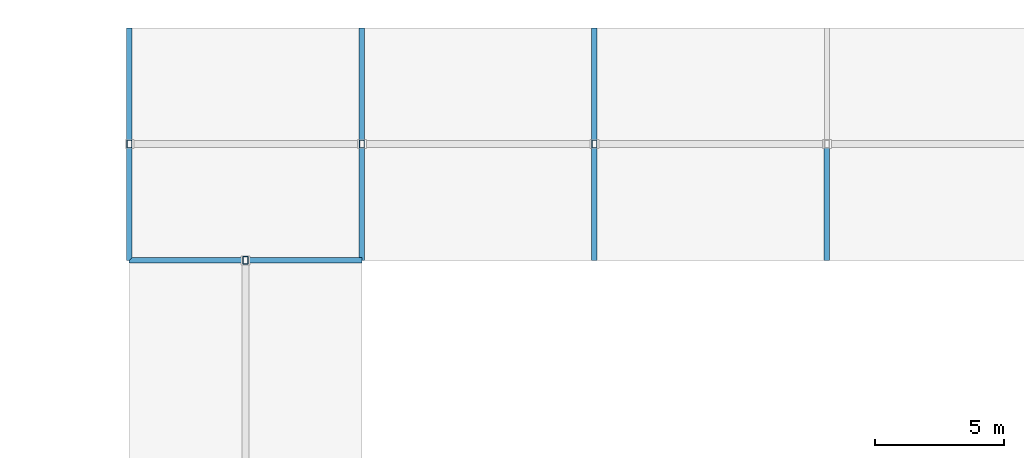
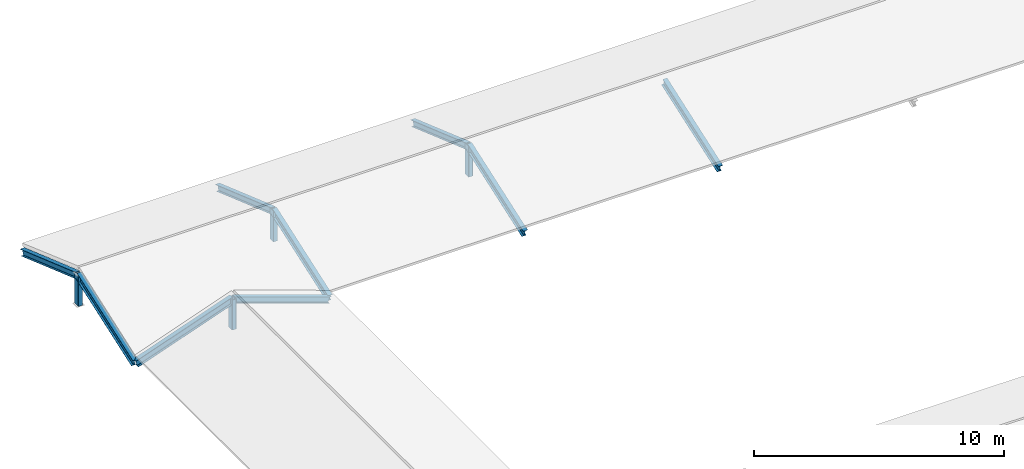
# One storey, part 47 of 80: 13 members.
"""IFC4 building model written with IfcOpenShell, lengths in metres."""

from ifc_helpers import new_model, si_unit, direction, frame, origin, origin_2d, place, context, subcontext, project, spatial, hollow_rectangle, i_section, extrude, material, material_profile, profile_set, type_object, element, save


model = new_model("IFC4")

# Units and contexts
model_context = context("Model", 3, precision=1e-05, world=origin(), true_north=direction((0.0, 1.0)))
body_context = subcontext(model_context, "Body", "Model", "MODEL_VIEW")
ifc_project = project(units=[si_unit("LENGTHUNIT", "METRE"), si_unit("AREAUNIT", "SQUARE_METRE"), si_unit("VOLUMEUNIT", "CUBIC_METRE"), si_unit("PLANEANGLEUNIT", "RADIAN"), si_unit("MASSUNIT", "GRAM", prefix="KILO")], contexts=[model_context])

# Site, building, storey
site_placement = place(None, origin())
site = spatial("IfcSite", under=ifc_project, at=site_placement, CompositionType="ELEMENT")
building_placement = place(site_placement, origin())
building = spatial("IfcBuilding", under=site, at=building_placement, Name="Miravela Opera House", CompositionType="ELEMENT")
storey_placement = place(building_placement, frame((0.0, 0.0, 17.679931640625)))
storey = spatial("IfcBuildingStorey", under=building, at=storey_placement, Name="L04", CompositionType="ELEMENT", Elevation=17.679931640625)

# Members
ifc_material_1 = material(Name="Hollow structural steel ASTM A500 Gr. C", Category="steel")
ifc_material_profile_1 = material_profile(ifc_material_1, hollow_rectangle(XDim=0.199951171875, YDim=0.300048828125, WallThickness=0.011962890625, InnerFilletRadius=0.011962890625, OuterFilletRadius=0.02392578125, at=origin_2d()), Name="HSS300X200X12")
ifc_profile_set_1 = profile_set([ifc_material_profile_1])
member_type_1 = type_object("IfcMemberType", Name="STR-MEM-POST-HSS300X200", PredefinedType="POST", material=ifc_profile_set_1)
member_placement = place(storey_placement, frame((22.5, 103.0, -0.25), z_axis=(0.0, 0.0, 1.0), x_axis=(1.0, 0.0, 0.0)))
element("IfcMember", 1, at=member_placement, inside=storey, type_object=member_type_1, Name="Roof Gable King Post ROOF-V3-WEST-M N", PredefinedType="POST", context=body_context, shape_type="SweptSolid", body=[
    extrude(hollow_rectangle(XDim=0.199951171875, YDim=0.300048828125, WallThickness=0.011962890625, InnerFilletRadius=0.011962890625, OuterFilletRadius=0.02392578125, at=origin_2d()), origin(), (0.0, 0.0, 1.0), 1.469970703125),
])
for number, where, z_axis, x_axis, name in (
    (2, (18.0, 107.5, -0.25), (0.0, 0.0, 1.0), (1.0, 0.0, 0.0), "Roof Gable King Post ROOF-V3-WEST-N W"),
    (3, (27.0, 107.5, -0.25), (0.0, 0.0, 1.0), (1.0, 0.0, 0.0), "Roof Ridge Support Post ROOF-V3-WEST-N M1"),
    (4, (36.0, 107.5, -0.25), (0.0, 0.0, 1.0), (1.0, 0.0, 0.0), "Roof Ridge Support Post ROOF-V3-WEST-N M2"),
):
    element("IfcMember", number, at=place(storey_placement, frame(where, z_axis=z_axis, x_axis=x_axis)), inside=storey, type_object=member_type_1, Name=name, PredefinedType="POST", context=body_context, shape_type="SweptSolid", body=[
        extrude(hollow_rectangle(XDim=0.199951171875, YDim=0.300048828125, WallThickness=0.011962890625, InnerFilletRadius=0.011962890625, OuterFilletRadius=0.02392578125, at=origin_2d()), origin(), (0.0, 0.0, 1.0), 1.510009765625),
    ])
ifc_material_2 = material(Name="Structural steel ASTM A992 Gr. 50", Category="steel")
ifc_material_profile_2 = material_profile(ifc_material_2, i_section(OverallWidth=0.2041015625, OverallDepth=0.35009765625, WebThickness=0.008544921875, FlangeThickness=0.01513671875, FilletRadius=0.013916015625, at=origin_2d()), Name="W360X72")
ifc_profile_set_2 = profile_set([ifc_material_profile_2])
member_type_2 = type_object("IfcMemberType", Name="STR-MEM-RAFTER-1", PredefinedType="RAFTER", material=ifc_profile_set_2)
for number, where, z_axis, x_axis, name in (
    (5, (18.050048828125, 103.0, -0.39990234375), (0.943687918104, 0.0, 0.3308369889), (0.0, 1.0, 0.0), "Pitched Roof Rafter ROOF-V3-WEST-M W2"),
    (6, (18.0, 103.050048828125, -0.39990234375), (0.0, 0.943687918104, 0.3308369889), (-1.0, 0.0, 0.0), "Pitched Roof Rafter ROOF-V3-WEST-N S0"),
    (7, (27.0, 103.050048828125, -0.39990234375), (0.0, 0.943687918104, 0.3308369889), (-1.0, 0.0, 0.0), "Pitched Roof Rafter ROOF-V3-WEST-N S1"),
    (8, (36.0, 103.050048828125, -0.39990234375), (0.0, 0.943687918104, 0.3308369889), (-1.0, 0.0, 0.0), "Pitched Roof Rafter ROOF-V3-WEST-N S2"),
    (9, (45.0, 103.050048828125, -0.39990234375), (0.0, 0.943687918104, 0.3308369889), (-1.0, 0.0, 0.0), "Pitched Roof Rafter ROOF-V3-WEST-N S3"),
):
    element("IfcMember", number, at=place(storey_placement, frame(where, z_axis=z_axis, x_axis=x_axis)), inside=storey, type_object=member_type_2, Name=name, PredefinedType="RAFTER", context=body_context, shape_type="SweptSolid", body=[
        extrude(i_section(OverallWidth=0.2041015625, OverallDepth=0.35009765625, WebThickness=0.008544921875, FlangeThickness=0.01513671875, FilletRadius=0.013916015625, at=origin_2d()), origin(), (0.0, 0.0, 1.0), 4.715576171875),
    ])
ifc_material_profile_3 = material_profile(ifc_material_2, i_section(OverallWidth=0.202880859375, OverallDepth=0.302978515625, WebThickness=0.007568359375, FlangeThickness=0.01318359375, FilletRadius=0.012939453125, at=origin_2d()), Name="W310X60")
ifc_profile_set_3 = profile_set([ifc_material_profile_3])
member_type_3 = type_object("IfcMemberType", Name="STR-MEM-RAFTER-2", PredefinedType="RAFTER", material=ifc_profile_set_3)
for number, where, z_axis, x_axis, name in (
    (10, (26.949951171875, 103.0, -0.39990234375), (-0.943687918104, 0.0, 0.3308369889), (0.0, -1.0, 0.0), "Pitched Roof Rafter ROOF-V3-WEST-M E2"),
    (11, (18.0, 111.949951171875, -0.39990234375), (0.0, -0.943687918104, 0.3308369889), (1.0, 0.0, 0.0), "Pitched Roof Rafter ROOF-V3-WEST-N N0"),
    (12, (27.0, 111.949951171875, -0.39990234375), (0.0, -0.943687918104, 0.3308369889), (1.0, 0.0, 0.0), "Pitched Roof Rafter ROOF-V3-WEST-N N1"),
    (13, (36.0, 111.949951171875, -0.39990234375), (0.0, -0.943687918104, 0.3308369889), (1.0, 0.0, 0.0), "Pitched Roof Rafter ROOF-V3-WEST-N N2"),
):
    element("IfcMember", number, at=place(storey_placement, frame(where, z_axis=z_axis, x_axis=x_axis)), inside=storey, type_object=member_type_3, Name=name, PredefinedType="RAFTER", context=body_context, shape_type="SweptSolid", body=[
        extrude(i_section(OverallWidth=0.202880859375, OverallDepth=0.302978515625, WebThickness=0.007568359375, FlangeThickness=0.01318359375, FilletRadius=0.012939453125, at=origin_2d()), origin(), (0.0, 0.0, 1.0), 4.715576171875),
    ])

save(model, "model.ifc")
